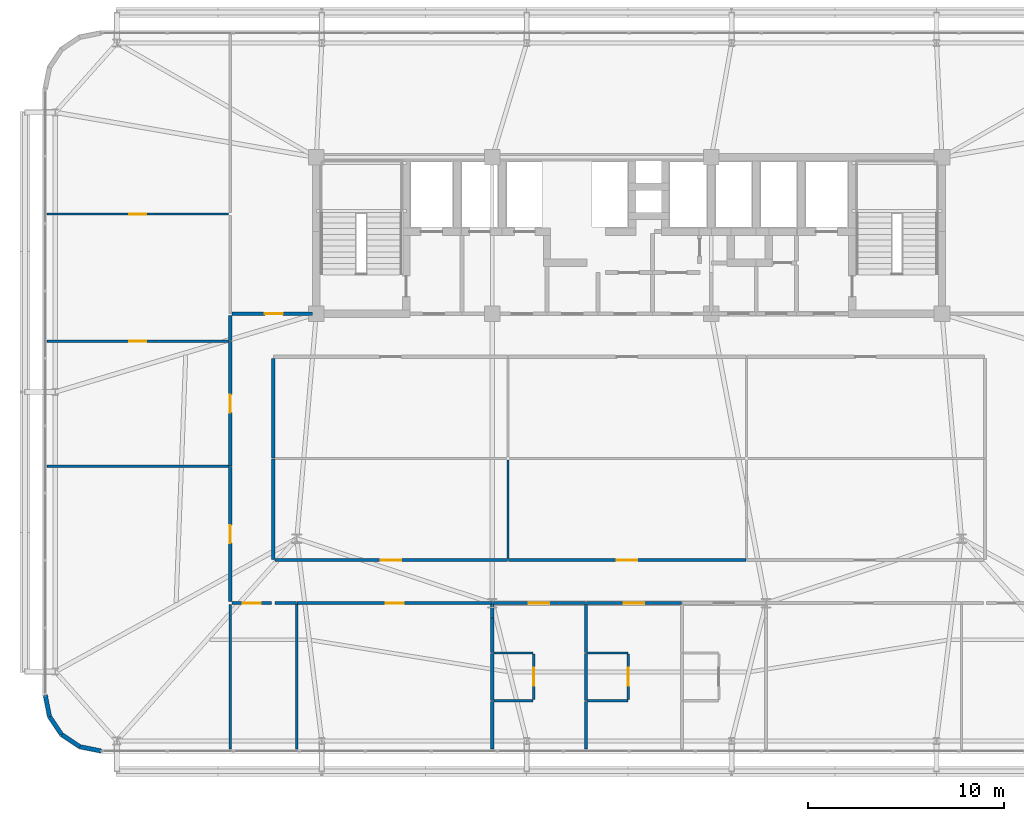
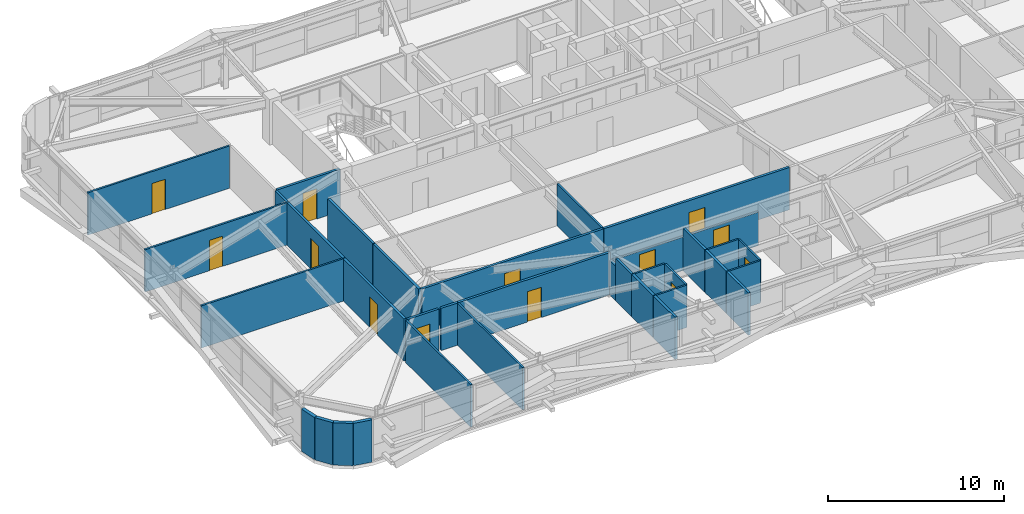
# One storey, part 52 of 59: 36 walls, 13 doors, 13 openings.
"""IFC4 building model written with IfcOpenShell, lengths in metres."""

from ifc_helpers import new_model, si_unit, direction, frame, frame_2d, origin, place, context, subcontext, project, spatial, rectangle, extrude, source, transform, mapped, material, layer, layer_set, type_object, element, fill, save


model = new_model("IFC4")

# Units and contexts
model_context = context("Model", 3, precision=1e-05, world=origin(), true_north=direction((0.0, 1.0)))
body_context = subcontext(model_context, "Body", "Model", "MODEL_VIEW")
ifc_project = project(units=[si_unit("LENGTHUNIT", "METRE"), si_unit("AREAUNIT", "SQUARE_METRE"), si_unit("VOLUMEUNIT", "CUBIC_METRE"), si_unit("PLANEANGLEUNIT", "RADIAN"), si_unit("MASSUNIT", "GRAM", prefix="KILO")], contexts=[model_context])

# Site, building, storey
site_placement = place(None, origin())
site = spatial("IfcSite", under=ifc_project, at=site_placement, CompositionType="ELEMENT")
building_placement = place(site_placement, origin())
building = spatial("IfcBuilding", under=site, at=building_placement, Name="Taldren Reach Tower", CompositionType="ELEMENT")
storey_placement = place(building_placement, frame((0.0, 0.0, 48.300048828125)))
storey = spatial("IfcBuildingStorey", under=building, at=storey_placement, Name="L14", CompositionType="ELEMENT", Elevation=48.300048828125)

# Walls
ifc_material_1 = material(Name="Pale Champagne Anodised Aluminium Cladding", Category="aluminium")
ifc_layer_1 = layer(ifc_material_1, 0.04, Name="Pale Champagne Anodised Aluminium Cladding", Category="aluminium")
ifc_material_2 = material(Name="Mineral Wool Acoustic Insulation", Category="insulation")
ifc_layer_2 = layer(ifc_material_2, 0.06, Name="Mineral Wool Acoustic Insulation", Category="insulation")
ifc_material_3 = material(Name="Steel Gr 350 (C350L0)", Category="steel")
ifc_layer_3 = layer(ifc_material_3, 0.12, Name="Steel Gr 350 (C350L0)", Category="steel")
ifc_layer_set_1 = layer_set([ifc_layer_1, ifc_layer_2, ifc_layer_3], Name="Pale Champagne Aluminium Cladding and Steel Gr 350 Stud Framing")
wall_type_1 = type_object("IfcWallType", Name="EW-CRN-220", PredefinedType="SOLIDWALL", material=ifc_layer_set_1)
shared_shape_1 = source(origin(), body_context, "Body", "SweptSolid", [
    extrude(rectangle(XDim=1.115966796875, YDim=0.219970703125, at=frame_2d((0.55810546875, 0.0))), origin(), (0.0, 0.0, 1.0), 2.929931640625),
])
for number, where, z_axis, x_axis, name in (
    (1, (5.139892578125, 4.5, 0.0), (0.0, 0.0, 1.0), (0.195148375659, -0.98077373103, 0.0), "Rounded-corner pale-metal facade wall L14-SW1"),
    (2, (5.357666015625, 3.405517578125, 0.0), (0.0, 0.0, 1.0), (0.555709556774, -0.83137650226, 0.0), "Rounded-corner pale-metal facade wall L14-SW2"),
    (3, (5.977783203125, 2.477783203125, 0.0), (0.0, 0.0, 1.0), (0.83137650226, -0.555709556774, 0.0), "Rounded-corner pale-metal facade wall L14-SW3"),
    (4, (6.905517578125, 1.857666015625, 0.0), (0.0, 0.0, 1.0), (0.98077373103, -0.195148375659, 0.0), "Rounded-corner pale-metal facade wall L14-SW4"),
):
    element("IfcWall", number, at=place(storey_placement, frame(where, z_axis=z_axis, x_axis=x_axis)), inside=storey, type_object=wall_type_1, Name=name, PredefinedType="SOLIDWALL", context=body_context, shape_type="MappedRepresentation", body=[
        mapped(shared_shape_1, transform((0.0, 0.0, 0.0), scale=1.0)),
    ])

# Wall, opening, door
ifc_material_4 = material(Name="Fire-Rated Acoustic Plasterboard Stud Wall", Category="gypsum")
ifc_layer_4 = layer(ifc_material_4, 0.159912109375)
ifc_layer_set_2 = layer_set([ifc_layer_4], Name="Fire-Rated Acoustic Plasterboard Stud Wall")
wall_type_2 = type_object("IfcWallType", Name="IW-FIRE-160", PredefinedType="PARTITIONING", material=ifc_layer_set_2)
shared_shape_2 = source(origin(), body_context, "Body", "SweptSolid", [
    extrude(rectangle(XDim=2.0400390625, YDim=0.159912109375, at=frame_2d((1.02001953125, 0.0))), origin(), (0.0, 0.0, 1.0), 2.929931640625),
])
wall_1_placement = place(storey_placement, frame((16.719970703125, 9.199951171875, 0.0), z_axis=(0.0, 0.0, 1.0), x_axis=(-1.0, 0.0, 0.0)))
wall_1 = element("IfcWall", 5, at=wall_1_placement, inside=storey, type_object=wall_type_2, Name="Interior Partition Wall W-INT-L14-067", PredefinedType="PARTITIONING", context=body_context, shape_type="MappedRepresentation", body=[
    mapped(shared_shape_2, transform((0.0, 0.0, 0.0), scale=1.0)),
])
shared_shape_3 = source(origin(), body_context, "Body", "SweptSolid", [
    extrude(rectangle(XDim=0.919921875, YDim=2.10009765625, at=frame_2d((0.4599609375, 1.050048828125))), frame((0.0, 0.08984375, 0.0), z_axis=(0.0, -1.0, 0.0), x_axis=(1.0, 0.0, 0.0)), (0.0, 0.0, 1.0), 0.179931640625),
])
opening_1_placement = place(wall_1_placement, frame((0.56005859375, 0.0, 0.0)))
opening_1 = element("IfcOpeningElement", 6, at=opening_1_placement, cuts=wall_1, Name="Opening DI-092", PredefinedType="OPENING", context=body_context, shape_type="MappedRepresentation", body=[
    mapped(shared_shape_3, transform((0.0, 0.0, 0.0), scale=1.0)),
])
ifc_material_5 = material(Name="Solid-Core Timber Suite Door", Category="wood")
door_type_1 = type_object("IfcDoorType", Name="ID-INT-092", OperationType="NOTDEFINED", PredefinedType="DOOR", material=ifc_material_5)
shared_shape_4 = source(origin(), body_context, "Body", "SweptSolid", [
    extrude(rectangle(XDim=0.919921875, YDim=2.10009765625, at=frame_2d((0.4599609375, 1.050048828125))), frame((0.0, 0.02490234375, 0.0), z_axis=(0.0, -1.0, 0.0), x_axis=(1.0, 0.0, 0.0)), (0.0, 0.0, 1.0), 0.050048828125),
])
door_1_placement = place(opening_1_placement, origin())
door_1 = element("IfcDoor", 7, at=door_1_placement, inside=storey, type_object=door_type_1, Name="Interior Door DR-L14-017", OperationType="SINGLE_SWING_RIGHT", OverallHeight=2.10009765625, OverallWidth=0.919921875, PredefinedType="DOOR", context=body_context, shape_type="MappedRepresentation", body=[
    mapped(shared_shape_4, transform((0.0, 0.0, 0.0), scale=1.0)),
])
fill(opening_1, door_1)

shared_shape_5 = source(origin(), body_context, "Body", "SweptSolid", [
    extrude(rectangle(XDim=4.130126953125, YDim=0.159912109375, at=frame_2d((2.06494140625, 0.0))), origin(), (0.0, 0.0, 1.0), 2.929931640625),
])
wall_2_placement = place(storey_placement, frame((14.679931640625, 24.0, 0.0), z_axis=(0.0, 0.0, 1.0), x_axis=(1.0, 0.0, 0.0)))
wall_2 = element("IfcWall", 8, at=wall_2_placement, inside=storey, type_object=wall_type_2, Name="Interior Partition Wall W-INT-L14-075", PredefinedType="PARTITIONING", context=body_context, shape_type="MappedRepresentation", body=[
    mapped(shared_shape_5, transform((0.0, 0.0, 0.0), scale=1.0)),
])
opening_2_placement = place(wall_2_placement, frame((1.68994140625, 0.0, 0.0)))
opening_2 = element("IfcOpeningElement", 9, at=opening_2_placement, cuts=wall_2, Name="Opening DI-092", PredefinedType="OPENING", context=body_context, shape_type="MappedRepresentation", body=[
    mapped(shared_shape_3, transform((0.0, 0.0, 0.0), scale=1.0)),
])
door_2_placement = place(opening_2_placement, origin())
door_2 = element("IfcDoor", 10, at=door_2_placement, inside=storey, type_object=door_type_1, Name="Interior Door DR-L14-023", OperationType="SINGLE_SWING_RIGHT", OverallHeight=2.10009765625, OverallWidth=0.919921875, PredefinedType="DOOR", context=body_context, shape_type="MappedRepresentation", body=[
    mapped(shared_shape_4, transform((0.0, 0.0, 0.0), scale=1.0)),
])
fill(opening_2, door_2)

# Walls
shared_shape_6 = source(origin(), body_context, "Body", "SweptSolid", [
    extrude(rectangle(XDim=5.15966796875, YDim=0.159912109375, at=frame_2d((2.579833984375, 0.0))), origin(), (0.0, 0.0, 1.0), 2.929931640625),
])
wall_3_placement = place(storey_placement, frame((16.800048828125, 16.579833984375, 0.0), z_axis=(0.0, 0.0, 1.0), x_axis=(0.0, -1.0, 0.0)))
element("IfcWall", 11, at=wall_3_placement, inside=storey, type_object=wall_type_2, Name="Interior Partition Wall W-INT-L14-060", PredefinedType="PARTITIONING", context=body_context, shape_type="MappedRepresentation", body=[
    mapped(shared_shape_6, transform((0.0, 0.0, 0.0), scale=1.0)),
])
shared_shape_7 = source(origin(), body_context, "Body", "SweptSolid", [
    extrude(rectangle(XDim=5.099853515625, YDim=0.159912109375, at=frame_2d((2.5498046875, 0.0))), origin(), (0.0, 0.0, 1.0), 2.929931640625),
])
wall_4_placement = place(storey_placement, frame((16.800048828125, 21.719970703125, 0.0), z_axis=(0.0, 0.0, 1.0), x_axis=(0.0, -1.0, 0.0)))
element("IfcWall", 12, at=wall_4_placement, inside=storey, type_object=wall_type_2, Name="Interior Partition Wall W-INT-L14-062", PredefinedType="PARTITIONING", context=body_context, shape_type="MappedRepresentation", body=[
    mapped(shared_shape_7, transform((0.0, 0.0, 0.0), scale=1.0)),
])
shared_shape_8 = source(origin(), body_context, "Body", "SweptSolid", [
    extrude(rectangle(XDim=1.099853515625, YDim=0.159912109375, at=frame_2d((0.5498046875, 0.0))), origin(), (0.0, 0.0, 1.0), 2.929931640625),
])
wall_5_placement = place(storey_placement, frame((17.979736328125, 9.199951171875, 0.0), z_axis=(0.0, 0.0, 1.0), x_axis=(-1.0, 0.0, 0.0)))
element("IfcWall", 13, at=wall_5_placement, inside=storey, type_object=wall_type_2, Name="Interior Partition Wall W-INT-L14-080", PredefinedType="PARTITIONING", context=body_context, shape_type="MappedRepresentation", body=[
    mapped(shared_shape_8, transform((0.0, 0.0, 0.0), scale=1.0)),
])
ifc_material_6 = material(Name="Insulated Residential Stud Partition", Category="gypsum")
ifc_layer_5 = layer(ifc_material_6, 0.1201171875)
ifc_layer_set_3 = layer_set([ifc_layer_5], Name="Insulated Residential Stud Partition")
wall_type_3 = type_object("IfcWallType", Name="IW-PART-120", PredefinedType="PARTITIONING", material=ifc_layer_set_3)
shared_shape_9 = source(origin(), body_context, "Body", "SweptSolid", [
    extrude(rectangle(XDim=5.0400390625, YDim=0.1201171875, at=frame_2d((2.52001953125, 0.0))), origin(), (0.0, 0.0, 1.0), 2.929931640625),
])
wall_6_placement = place(storey_placement, frame((28.800048828125, 16.52001953125, 0.0), z_axis=(0.0, 0.0, 1.0), x_axis=(0.0, -1.0, 0.0)))
element("IfcWall", 14, at=wall_6_placement, inside=storey, type_object=wall_type_3, Name="Interior Partition Wall W-INT-L14-088", PredefinedType="PARTITIONING", context=body_context, shape_type="MappedRepresentation", body=[
    mapped(shared_shape_9, transform((0.0, 0.0, 0.0), scale=1.0)),
])

# Wall, opening, door
shared_shape_10 = source(origin(), body_context, "Body", "SweptSolid", [
    extrude(rectangle(XDim=2.330078125, YDim=0.1201171875, at=frame_2d((1.1650390625, 0.0))), origin(), (0.0, 0.0, 1.0), 2.929931640625),
])
wall_7_placement = place(storey_placement, frame((30.112060546875, 4.260009765625, 0.0), z_axis=(0.0, 0.0, 1.0), x_axis=(0.0, 1.0, 0.0)))
wall_7 = element("IfcWall", 15, at=wall_7_placement, inside=storey, type_object=wall_type_3, Name="Interior Partition Wall W-INT-L14-099", PredefinedType="PARTITIONING", context=body_context, shape_type="MappedRepresentation", body=[
    mapped(shared_shape_10, transform((0.0, 0.0, 0.0), scale=1.0)),
])
shared_shape_11 = source(origin(), body_context, "Body", "SweptSolid", [
    extrude(rectangle(XDim=0.919921875, YDim=2.10009765625, at=frame_2d((0.4599609375, 1.050048828125))), frame((0.0, 0.070068359375, 0.0), z_axis=(0.0, -1.0, 0.0), x_axis=(1.0, 0.0, 0.0)), (0.0, 0.0, 1.0), 0.14013671875),
])
opening_3_placement = place(wall_7_placement, frame((0.705078125, 0.0, 0.0)))
opening_3 = element("IfcOpeningElement", 16, at=opening_3_placement, cuts=wall_7, Name="Opening DI-092", PredefinedType="OPENING", context=body_context, shape_type="MappedRepresentation", body=[
    mapped(shared_shape_11, transform((0.0, 0.0, 0.0), scale=1.0)),
])
door_3_placement = place(opening_3_placement, origin())
door_3 = element("IfcDoor", 17, at=door_3_placement, inside=storey, type_object=door_type_1, Name="Interior Door DR-L14-032", OperationType="SINGLE_SWING_LEFT", OverallHeight=2.10009765625, OverallWidth=0.919921875, PredefinedType="DOOR", context=body_context, shape_type="MappedRepresentation", body=[
    mapped(shared_shape_4, transform((0.0, 0.0, 0.0), scale=1.0)),
])
fill(opening_3, door_3)

wall_8_placement = place(storey_placement, frame((34.9560546875, 4.260009765625, 0.0), z_axis=(0.0, 0.0, 1.0), x_axis=(0.0, 1.0, 0.0)))
wall_8 = element("IfcWall", 18, at=wall_8_placement, inside=storey, type_object=wall_type_3, Name="Interior Partition Wall W-INT-L14-105", PredefinedType="PARTITIONING", context=body_context, shape_type="MappedRepresentation", body=[
    mapped(shared_shape_10, transform((0.0, 0.0, 0.0), scale=1.0)),
])
opening_4_placement = place(wall_8_placement, frame((0.705078125, 0.0, 0.0)))
opening_4 = element("IfcOpeningElement", 19, at=opening_4_placement, cuts=wall_8, Name="Opening DI-092", PredefinedType="OPENING", context=body_context, shape_type="MappedRepresentation", body=[
    mapped(shared_shape_11, transform((0.0, 0.0, 0.0), scale=1.0)),
])
door_4_placement = place(opening_4_placement, origin())
door_4 = element("IfcDoor", 20, at=door_4_placement, inside=storey, type_object=door_type_1, Name="Interior Door DR-L14-033", OperationType="SINGLE_SWING_RIGHT", OverallHeight=2.10009765625, OverallWidth=0.919921875, PredefinedType="DOOR", context=body_context, shape_type="MappedRepresentation", body=[
    mapped(shared_shape_4, transform((0.0, 0.0, 0.0), scale=1.0)),
])
fill(opening_4, door_4)

# Walls
shared_shape_12 = source(origin(), body_context, "Body", "SweptSolid", [
    extrude(rectangle(XDim=2.44775390625, YDim=0.159912109375, at=frame_2d((1.223876953125, 0.0))), origin(), (0.0, 0.0, 1.0), 2.929931640625),
])
for number, where, z_axis, x_axis, name in (
    (21, (32.800048828125, 4.1796875, 0.0), (0.0, 0.0, 1.0), (0.0, -1.0, 0.0), "Interior Partition Wall W-INT-L14-102"),
    (22, (32.800048828125, 9.117919921875, 0.0), (0.0, 0.0, 1.0), (0.0, -1.0, 0.0), "Interior Partition Wall W-INT-L14-103"),
):
    element("IfcWall", number, at=place(storey_placement, frame(where, z_axis=z_axis, x_axis=x_axis)), inside=storey, type_object=wall_type_2, Name=name, PredefinedType="PARTITIONING", context=body_context, shape_type="MappedRepresentation", body=[
        mapped(shared_shape_12, transform((0.0, 0.0, 0.0), scale=1.0)),
    ])
shared_shape_13 = source(origin(), body_context, "Body", "SweptSolid", [
    extrude(rectangle(XDim=2.40966796875, YDim=0.159912109375, at=frame_2d((1.204833984375, 0.0))), origin(), (0.0, 0.0, 1.0), 2.929931640625),
])
for number, where, z_axis, x_axis, name in (
    (23, (28.0, 6.6298828125, 0.0), (0.0, 0.0, 1.0), (0.0, -1.0, 0.0), "Interior Partition Wall W-INT-L14-098"),
    (24, (32.800048828125, 6.6298828125, 0.0), (0.0, 0.0, 1.0), (0.0, -1.0, 0.0), "Interior Partition Wall W-INT-L14-104"),
):
    element("IfcWall", number, at=place(storey_placement, frame(where, z_axis=z_axis, x_axis=x_axis)), inside=storey, type_object=wall_type_2, Name=name, PredefinedType="PARTITIONING", context=body_context, shape_type="MappedRepresentation", body=[
        mapped(shared_shape_13, transform((0.0, 0.0, 0.0), scale=1.0)),
    ])
shared_shape_14 = source(origin(), body_context, "Body", "SweptSolid", [
    extrude(rectangle(XDim=2.01171875, YDim=0.1201171875, at=frame_2d((1.005859375, 0.0))), origin(), (0.0, 0.0, 1.0), 2.929931640625),
])
for number, where, z_axis, x_axis, name in (
    (25, (28.080078125, 4.199951171875, 0.0), (0.0, 0.0, 1.0), (1.0, 0.0, 0.0), "Interior Partition Wall W-INT-L14-100"),
    (26, (30.091796875, 6.64990234375, 0.0), (0.0, 0.0, 1.0), (-1.0, 0.0, 0.0), "Interior Partition Wall W-INT-L14-101"),
):
    element("IfcWall", number, at=place(storey_placement, frame(where, z_axis=z_axis, x_axis=x_axis)), inside=storey, type_object=wall_type_3, Name=name, PredefinedType="PARTITIONING", context=body_context, shape_type="MappedRepresentation", body=[
        mapped(shared_shape_14, transform((0.0, 0.0, 0.0), scale=1.0)),
    ])
shared_shape_15 = source(origin(), body_context, "Body", "SweptSolid", [
    extrude(rectangle(XDim=2.44970703125, YDim=0.159912109375, at=frame_2d((1.224853515625, 0.0))), origin(), (0.0, 0.0, 1.0), 2.929931640625),
])
wall_9_placement = place(storey_placement, frame((28.0, 4.1796875, 0.0), z_axis=(0.0, 0.0, 1.0), x_axis=(0.0, -1.0, 0.0)))
element("IfcWall", 27, at=wall_9_placement, inside=storey, type_object=wall_type_2, Name="Interior Partition Wall W-INT-L14-096", PredefinedType="PARTITIONING", context=body_context, shape_type="MappedRepresentation", body=[
    mapped(shared_shape_15, transform((0.0, 0.0, 0.0), scale=1.0)),
])
shared_shape_16 = source(origin(), body_context, "Body", "SweptSolid", [
    extrude(rectangle(XDim=0.672119140625, YDim=0.159912109375, at=frame_2d((0.3359375, 0.0))), origin(), (0.0, 0.0, 1.0), 2.39697265625),
])
wall_10_placement = place(storey_placement, frame((28.0, 9.1201171875, 0.0), z_axis=(0.0, 0.0, 1.0), x_axis=(0.0, -1.0, 0.0)))
element("IfcWall", 28, at=wall_10_placement, inside=storey, type_object=wall_type_2, Name="Interior Partition Wall W-INT-L14-097", PredefinedType="PARTITIONING", context=body_context, shape_type="MappedRepresentation", body=[
    mapped(shared_shape_16, transform((0.0, 0.0, 0.0), scale=1.0)),
])
shared_shape_17 = source(origin(), body_context, "Body", "SweptSolid", [
    extrude(rectangle(XDim=1.77783203125, YDim=0.159912109375, at=frame_2d((0.888916015625, 0.0))), origin(), (0.0, 0.0, 1.0), 2.929931640625),
])
wall_11_placement = place(storey_placement, frame((28.0, 8.447998046875, 0.0), z_axis=(0.0, 0.0, 1.0), x_axis=(0.0, -1.0, 0.0)))
element("IfcWall", 29, at=wall_11_placement, inside=storey, type_object=wall_type_2, Name="Interior Partition Wall W-INT-L14-097 part 2", PredefinedType="PARTITIONING", context=body_context, shape_type="MappedRepresentation", body=[
    mapped(shared_shape_17, transform((0.0, 0.0, 0.0), scale=1.0)),
])
shared_shape_18 = source(origin(), body_context, "Body", "SweptSolid", [
    extrude(rectangle(XDim=9.2900390625, YDim=0.1201171875, at=frame_2d((4.64501953125, 0.0))), origin(), (0.0, 0.0, 1.0), 2.929931640625),
])
wall_12_placement = place(storey_placement, frame((5.22998046875, 16.199951171875, 0.0), z_axis=(0.0, 0.0, 1.0), x_axis=(1.0, 0.0, 0.0)))
element("IfcWall", 30, at=wall_12_placement, inside=storey, type_object=wall_type_3, Name="Interior Partition Wall W-INT-L14-117", PredefinedType="PARTITIONING", context=body_context, shape_type="MappedRepresentation", body=[
    mapped(shared_shape_18, transform((0.0, 0.0, 0.0), scale=1.0)),
])

# Wall, opening, door
wall_13_placement = place(storey_placement, frame((5.22998046875, 22.60009765625, 0.0), z_axis=(0.0, 0.0, 1.0), x_axis=(1.0, 0.0, 0.0)))
wall_13 = element("IfcWall", 31, at=wall_13_placement, inside=storey, type_object=wall_type_3, Name="Interior Partition Wall W-INT-L14-118", PredefinedType="PARTITIONING", context=body_context, shape_type="MappedRepresentation", body=[
    mapped(shared_shape_18, transform((0.0, 0.0, 0.0), scale=1.0)),
])
shared_shape_19 = source(origin(), body_context, "Body", "SweptSolid", [
    extrude(rectangle(XDim=0.860107421875, YDim=2.10009765625, at=frame_2d((0.43017578125, 1.050048828125))), frame((0.0, 0.070068359375, 0.0), z_axis=(0.0, -1.0, 0.0), x_axis=(1.0, 0.0, 0.0)), (0.0, 0.0, 1.0), 0.14013671875),
])
opening_5_placement = place(wall_13_placement, frame((4.215087890625, 0.0, 0.0)))
opening_5 = element("IfcOpeningElement", 32, at=opening_5_placement, cuts=wall_13, Name="Opening DI-086", PredefinedType="OPENING", context=body_context, shape_type="MappedRepresentation", body=[
    mapped(shared_shape_19, transform((0.0, 0.0, 0.0), scale=1.0)),
])
ifc_material_7 = material(Name="Timber Bathroom Door", Category="wood")
door_type_2 = type_object("IfcDoorType", Name="ID-INT-086", OperationType="NOTDEFINED", PredefinedType="DOOR", material=ifc_material_7)
shared_shape_20 = source(origin(), body_context, "Body", "SweptSolid", [
    extrude(rectangle(XDim=0.860107421875, YDim=2.10009765625, at=frame_2d((0.43017578125, 1.050048828125))), frame((0.0, 0.02490234375, 0.0), z_axis=(0.0, -1.0, 0.0), x_axis=(1.0, 0.0, 0.0)), (0.0, 0.0, 1.0), 0.050048828125),
])
door_5_placement = place(opening_5_placement, frame((0.860107421875, 0.0, 0.0), z_axis=(0.0, 0.0, 1.0), x_axis=(-1.0, 0.0, 0.0)))
door_5 = element("IfcDoor", 33, at=door_5_placement, inside=storey, type_object=door_type_2, Name="Interior Door DR-L14-036", OperationType="SINGLE_SWING_RIGHT", OverallHeight=2.10009765625, OverallWidth=0.860107421875, PredefinedType="DOOR", context=body_context, shape_type="MappedRepresentation", body=[
    mapped(shared_shape_20, transform((0.0, 0.0, 0.0), scale=1.0)),
])
fill(opening_5, door_5)

wall_14_placement = place(storey_placement, frame((5.22998046875, 29.10009765625, 0.0), z_axis=(0.0, 0.0, 1.0), x_axis=(1.0, 0.0, 0.0)))
wall_14 = element("IfcWall", 34, at=wall_14_placement, inside=storey, type_object=wall_type_3, Name="Interior Partition Wall W-INT-L14-119", PredefinedType="PARTITIONING", context=body_context, shape_type="MappedRepresentation", body=[
    mapped(shared_shape_18, transform((0.0, 0.0, 0.0), scale=1.0)),
])
opening_6_placement = place(wall_14_placement, frame((4.215087890625, 0.0, 0.0)))
opening_6 = element("IfcOpeningElement", 35, at=opening_6_placement, cuts=wall_14, Name="Opening DI-086", PredefinedType="OPENING", context=body_context, shape_type="MappedRepresentation", body=[
    mapped(shared_shape_19, transform((0.0, 0.0, 0.0), scale=1.0)),
])
door_6_placement = place(opening_6_placement, frame((0.860107421875, 0.0, 0.0), z_axis=(0.0, 0.0, 1.0), x_axis=(-1.0, 0.0, 0.0)))
door_6 = element("IfcDoor", 36, at=door_6_placement, inside=storey, type_object=door_type_2, Name="Interior Door DR-L14-037", OperationType="SINGLE_SWING_LEFT", OverallHeight=2.10009765625, OverallWidth=0.860107421875, PredefinedType="DOOR", context=body_context, shape_type="MappedRepresentation", body=[
    mapped(shared_shape_20, transform((0.0, 0.0, 0.0), scale=1.0)),
])
fill(opening_6, door_6)

shared_shape_21 = source(origin(), body_context, "Body", "SweptSolid", [
    extrude(rectangle(XDim=4.859375, YDim=0.159912109375, at=frame_2d((2.4296875, 0.0))), origin(), (0.0, 0.0, 1.0), 2.327880859375),
])
wall_15_placement = place(storey_placement, frame((37.6796875, 9.199951171875, 0.0), z_axis=(0.0, 0.0, 1.0), x_axis=(-1.0, 0.0, 0.0)))
wall_15 = element("IfcWall", 37, at=wall_15_placement, inside=storey, type_object=wall_type_2, Name="Interior Partition Wall W-INT-L14-083", PredefinedType="PARTITIONING", context=body_context, shape_type="MappedRepresentation", body=[
    mapped(shared_shape_21, transform((0.0, 0.0, 0.0), scale=1.0)),
])
shared_shape_22 = source(origin(), body_context, "Body", "SweptSolid", [
    extrude(rectangle(XDim=1.050048828125, YDim=2.10009765625, at=frame_2d((0.52490234375, 1.050048828125))), frame((0.0, 0.08984375, 0.0), z_axis=(0.0, -1.0, 0.0), x_axis=(1.0, 0.0, 0.0)), (0.0, 0.0, 1.0), 0.179931640625),
])
opening_7_placement = place(wall_15_placement, frame((1.90478515625, 0.0, 0.0)))
opening_7 = element("IfcOpeningElement", 38, at=opening_7_placement, cuts=wall_15, Name="Opening DF-105", PredefinedType="OPENING", context=body_context, shape_type="MappedRepresentation", body=[
    mapped(shared_shape_22, transform((0.0, 0.0, 0.0), scale=1.0)),
])
ifc_material_8 = material(Name="Fire-Rated Care and Stair Exit Door")
door_type_3 = type_object("IfcDoorType", Name="ID-FIRE-105", OperationType="NOTDEFINED", PredefinedType="DOOR", material=ifc_material_8)
shared_shape_23 = source(origin(), body_context, "Body", "SweptSolid", [
    extrude(rectangle(XDim=1.050048828125, YDim=2.10009765625, at=frame_2d((0.52490234375, 1.050048828125))), frame((0.0, 0.02490234375, 0.0), z_axis=(0.0, -1.0, 0.0), x_axis=(1.0, 0.0, 0.0)), (0.0, 0.0, 1.0), 0.050048828125),
])
door_7_placement = place(opening_7_placement, origin())
door_7 = element("IfcDoor", 39, at=door_7_placement, inside=storey, type_object=door_type_3, Name="Interior Door DR-L14-029", OperationType="SINGLE_SWING_RIGHT", OverallHeight=2.10009765625, OverallWidth=1.050048828125, PredefinedType="DOOR", context=body_context, shape_type="MappedRepresentation", body=[
    mapped(shared_shape_23, transform((0.0, 0.0, 0.0), scale=1.0)),
])
fill(opening_7, door_7)

shared_shape_24 = source(origin(), body_context, "Body", "SweptSolid", [
    extrude(rectangle(XDim=12.159423828125, YDim=0.159912109375, at=frame_2d((6.07958984375, 0.0))), origin(), (0.0, 0.0, 1.0), 2.929931640625),
])
wall_16_placement = place(storey_placement, frame((28.8203125, 11.39990234375, 0.0), z_axis=(0.0, 0.0, 1.0), x_axis=(1.0, 0.0, 0.0)))
wall_16 = element("IfcWall", 40, at=wall_16_placement, inside=storey, type_object=wall_type_2, Name="Interior Partition Wall W-INT-L14-078", PredefinedType="PARTITIONING", context=body_context, shape_type="MappedRepresentation", body=[
    mapped(shared_shape_24, transform((0.0, 0.0, 0.0), scale=1.0)),
])
opening_8_placement = place(wall_16_placement, frame((5.5546875, 0.0, 0.0)))
opening_8 = element("IfcOpeningElement", 41, at=opening_8_placement, cuts=wall_16, Name="Opening DF-105", PredefinedType="OPENING", context=body_context, shape_type="MappedRepresentation", body=[
    mapped(shared_shape_22, transform((0.0, 0.0, 0.0), scale=1.0)),
])
door_8_placement = place(opening_8_placement, origin())
door_8 = element("IfcDoor", 42, at=door_8_placement, inside=storey, type_object=door_type_3, Name="Interior Door DR-L14-025", OperationType="SINGLE_SWING_RIGHT", OverallHeight=2.10009765625, OverallWidth=1.050048828125, PredefinedType="DOOR", context=body_context, shape_type="MappedRepresentation", body=[
    mapped(shared_shape_23, transform((0.0, 0.0, 0.0), scale=1.0)),
])
fill(opening_8, door_8)

shared_shape_25 = source(origin(), body_context, "Body", "SweptSolid", [
    extrude(rectangle(XDim=9.95947265625, YDim=0.159912109375, at=frame_2d((4.979736328125, 0.0))), origin(), (0.0, 0.0, 1.0), 2.929931640625),
])
wall_17_placement = place(storey_placement, frame((27.979736328125, 9.199951171875, 0.0), z_axis=(0.0, 0.0, 1.0), x_axis=(-1.0, 0.0, 0.0)))
wall_17 = element("IfcWall", 43, at=wall_17_placement, inside=storey, type_object=wall_type_2, Name="Interior Partition Wall W-INT-L14-081", PredefinedType="PARTITIONING", context=body_context, shape_type="MappedRepresentation", body=[
    mapped(shared_shape_25, transform((0.0, 0.0, 0.0), scale=1.0)),
])
opening_9_placement = place(wall_17_placement, frame((4.519775390625, 0.0, 0.0)))
opening_9 = element("IfcOpeningElement", 44, at=opening_9_placement, cuts=wall_17, Name="Opening DI-092", PredefinedType="OPENING", context=body_context, shape_type="MappedRepresentation", body=[
    mapped(shared_shape_3, transform((0.0, 0.0, 0.0), scale=1.0)),
])
door_9_placement = place(opening_9_placement, origin())
door_9 = element("IfcDoor", 45, at=door_9_placement, inside=storey, type_object=door_type_1, Name="Interior Door DR-L14-027", OperationType="SINGLE_SWING_RIGHT", OverallHeight=2.10009765625, OverallWidth=0.919921875, PredefinedType="DOOR", context=body_context, shape_type="MappedRepresentation", body=[
    mapped(shared_shape_4, transform((0.0, 0.0, 0.0), scale=1.0)),
])
fill(opening_9, door_9)

# Walls
shared_shape_26 = source(origin(), body_context, "Body", "SweptSolid", [
    extrude(rectangle(XDim=7.385986328125, YDim=0.1201171875, at=frame_2d((3.69287109375, 0.0))), origin(), (0.0, 0.0, 1.0), 2.929931640625),
])
for number, where, z_axis, x_axis, name in (
    (46, (18.0, 9.117919921875, 0.0), (0.0, 0.0, 1.0), (0.0, -1.0, 0.0), "Interior Partition Wall W-INT-L14-094"),
    (47, (14.60009765625, 1.73193359375, 0.0), (0.0, 0.0, 1.0), (0.0, 1.0, 0.0), "Interior Partition Wall W-INT-L14-095"),
):
    element("IfcWall", number, at=place(storey_placement, frame(where, z_axis=z_axis, x_axis=x_axis)), inside=storey, type_object=wall_type_3, Name=name, PredefinedType="PARTITIONING", context=body_context, shape_type="MappedRepresentation", body=[
        mapped(shared_shape_26, transform((0.0, 0.0, 0.0), scale=1.0)),
    ])

# Wall, opening, door
shared_shape_27 = source(origin(), body_context, "Body", "SweptSolid", [
    extrude(rectangle(XDim=6.899658203125, YDim=0.159912109375, at=frame_2d((3.44970703125, 0.0))), origin(), (0.0, 0.0, 1.0), 2.929931640625),
])
wall_18_placement = place(storey_placement, frame((14.60009765625, 9.280029296875, 0.0), z_axis=(0.0, 0.0, 1.0), x_axis=(0.0, 1.0, 0.0)))
wall_18 = element("IfcWall", 48, at=wall_18_placement, inside=storey, type_object=wall_type_2, Name="Interior Partition Wall W-INT-L14-069", PredefinedType="PARTITIONING", context=body_context, shape_type="MappedRepresentation", body=[
    mapped(shared_shape_27, transform((0.0, 0.0, 0.0), scale=1.0)),
])
opening_10_placement = place(wall_18_placement, frame((2.989990234375, 0.0, 0.0)))
opening_10 = element("IfcOpeningElement", 49, at=opening_10_placement, cuts=wall_18, Name="Opening DI-092", PredefinedType="OPENING", context=body_context, shape_type="MappedRepresentation", body=[
    mapped(shared_shape_3, transform((0.0, 0.0, 0.0), scale=1.0)),
])
door_10_placement = place(opening_10_placement, origin())
door_10 = element("IfcDoor", 50, at=door_10_placement, inside=storey, type_object=door_type_1, Name="Interior Door DR-L14-019", OperationType="SINGLE_SWING_RIGHT", OverallHeight=2.10009765625, OverallWidth=0.919921875, PredefinedType="DOOR", context=body_context, shape_type="MappedRepresentation", body=[
    mapped(shared_shape_4, transform((0.0, 0.0, 0.0), scale=1.0)),
])
fill(opening_10, door_10)

shared_shape_28 = source(origin(), body_context, "Body", "SweptSolid", [
    extrude(rectangle(XDim=6.359619140625, YDim=0.159912109375, at=frame_2d((3.1796875, 0.0))), origin(), (0.0, 0.0, 1.0), 2.929931640625),
])
wall_19_placement = place(storey_placement, frame((14.60009765625, 16.22021484375, 0.0), z_axis=(0.0, 0.0, 1.0), x_axis=(0.0, 1.0, 0.0)))
wall_19 = element("IfcWall", 51, at=wall_19_placement, inside=storey, type_object=wall_type_2, Name="Interior Partition Wall W-INT-L14-070", PredefinedType="PARTITIONING", context=body_context, shape_type="MappedRepresentation", body=[
    mapped(shared_shape_28, transform((0.0, 0.0, 0.0), scale=1.0)),
])
opening_11_placement = place(wall_19_placement, frame((2.7197265625, 0.0, 0.0)))
opening_11 = element("IfcOpeningElement", 52, at=opening_11_placement, cuts=wall_19, Name="Opening DI-092", PredefinedType="OPENING", context=body_context, shape_type="MappedRepresentation", body=[
    mapped(shared_shape_3, transform((0.0, 0.0, 0.0), scale=1.0)),
])
door_11_placement = place(opening_11_placement, origin())
door_11 = element("IfcDoor", 53, at=door_11_placement, inside=storey, type_object=door_type_1, Name="Interior Door DR-L14-020", OperationType="SINGLE_SWING_LEFT", OverallHeight=2.10009765625, OverallWidth=0.919921875, PredefinedType="DOOR", context=body_context, shape_type="MappedRepresentation", body=[
    mapped(shared_shape_4, transform((0.0, 0.0, 0.0), scale=1.0)),
])
fill(opening_11, door_11)

# Wall
shared_shape_29 = source(origin(), body_context, "Body", "SweptSolid", [
    extrude(rectangle(XDim=1.2998046875, YDim=0.159912109375, at=frame_2d((0.64990234375, 0.0))), origin(), (0.0, 0.0, 1.0), 2.929931640625),
])
wall_20_placement = place(storey_placement, frame((14.60009765625, 22.6201171875, 0.0), z_axis=(0.0, 0.0, 1.0), x_axis=(0.0, 1.0, 0.0)))
element("IfcWall", 54, at=wall_20_placement, inside=storey, type_object=wall_type_2, Name="Interior Partition Wall W-INT-L14-071", PredefinedType="PARTITIONING", context=body_context, shape_type="MappedRepresentation", body=[
    mapped(shared_shape_29, transform((0.0, 0.0, 0.0), scale=1.0)),
])

# Wall, opening, door
shared_shape_30 = source(origin(), body_context, "Body", "SweptSolid", [
    extrude(rectangle(XDim=11.89990234375, YDim=0.159912109375, at=frame_2d((5.949951171875, 0.0))), origin(), (0.0, 0.0, 1.0), 2.929931640625),
])
wall_21_placement = place(storey_placement, frame((16.8798828125, 11.39990234375, 0.0), z_axis=(0.0, 0.0, 1.0), x_axis=(1.0, 0.0, 0.0)))
wall_21 = element("IfcWall", 55, at=wall_21_placement, inside=storey, type_object=wall_type_2, Name="Interior Partition Wall W-INT-L14-077", PredefinedType="PARTITIONING", context=body_context, shape_type="MappedRepresentation", body=[
    mapped(shared_shape_30, transform((0.0, 0.0, 0.0), scale=1.0)),
])
opening_12_placement = place(wall_21_placement, frame((5.4248046875, 0.0, 0.0)))
opening_12 = element("IfcOpeningElement", 56, at=opening_12_placement, cuts=wall_21, Name="Opening DF-105", PredefinedType="OPENING", context=body_context, shape_type="MappedRepresentation", body=[
    mapped(shared_shape_22, transform((0.0, 0.0, 0.0), scale=1.0)),
])
door_12_placement = place(opening_12_placement, origin())
door_12 = element("IfcDoor", 57, at=door_12_placement, inside=storey, type_object=door_type_3, Name="Interior Door DR-L14-024", OperationType="SINGLE_SWING_LEFT", OverallHeight=2.10009765625, OverallWidth=1.050048828125, PredefinedType="DOOR", context=body_context, shape_type="MappedRepresentation", body=[
    mapped(shared_shape_23, transform((0.0, 0.0, 0.0), scale=1.0)),
])
fill(opening_12, door_12)

shared_shape_31 = source(origin(), body_context, "Body", "SweptSolid", [
    extrude(rectangle(XDim=4.759521484375, YDim=0.159912109375, at=frame_2d((2.3798828125, 0.0))), origin(), (0.0, 0.0, 1.0), 2.327880859375),
])
wall_22_placement = place(storey_placement, frame((32.77978515625, 9.199951171875, 0.0), z_axis=(0.0, 0.0, 1.0), x_axis=(-1.0, 0.0, 0.0)))
wall_22 = element("IfcWall", 58, at=wall_22_placement, inside=storey, type_object=wall_type_2, Name="Interior Partition Wall W-INT-L14-082", PredefinedType="PARTITIONING", context=body_context, shape_type="MappedRepresentation", body=[
    mapped(shared_shape_31, transform((0.0, 0.0, 0.0), scale=1.0)),
])
opening_13_placement = place(wall_22_placement, frame((1.854736328125, 0.0, 0.0)))
opening_13 = element("IfcOpeningElement", 59, at=opening_13_placement, cuts=wall_22, Name="Opening DF-105", PredefinedType="OPENING", context=body_context, shape_type="MappedRepresentation", body=[
    mapped(shared_shape_22, transform((0.0, 0.0, 0.0), scale=1.0)),
])
door_13_placement = place(opening_13_placement, origin())
door_13 = element("IfcDoor", 60, at=door_13_placement, inside=storey, type_object=door_type_3, Name="Interior Door DR-L14-028", OperationType="SINGLE_SWING_LEFT", OverallHeight=2.10009765625, OverallWidth=1.050048828125, PredefinedType="DOOR", context=body_context, shape_type="MappedRepresentation", body=[
    mapped(shared_shape_23, transform((0.0, 0.0, 0.0), scale=1.0)),
])
fill(opening_13, door_13)

# Walls
shared_shape_32 = source(origin(), body_context, "Body", "SweptSolid", [
    extrude(rectangle(XDim=2.055908203125, YDim=0.1201171875, at=frame_2d((1.02783203125, 0.0))), origin(), (0.0, 0.0, 1.0), 2.929931640625),
])
for number, where, z_axis, x_axis, name in (
    (61, (32.8798828125, 4.199951171875, 0.0), (0.0, 0.0, 1.0), (1.0, 0.0, 0.0), "Interior Partition Wall W-INT-L14-106"),
    (62, (34.935791015625, 6.64990234375, 0.0), (0.0, 0.0, 1.0), (-1.0, 0.0, 0.0), "Interior Partition Wall W-INT-L14-107"),
):
    element("IfcWall", number, at=place(storey_placement, frame(where, z_axis=z_axis, x_axis=x_axis)), inside=storey, type_object=wall_type_3, Name=name, PredefinedType="PARTITIONING", context=body_context, shape_type="MappedRepresentation", body=[
        mapped(shared_shape_32, transform((0.0, 0.0, 0.0), scale=1.0)),
    ])

save(model, "model.ifc")
